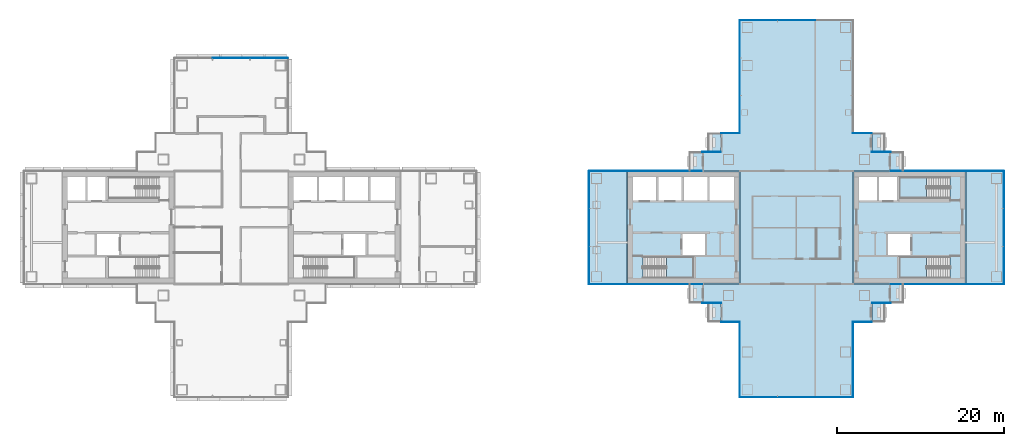
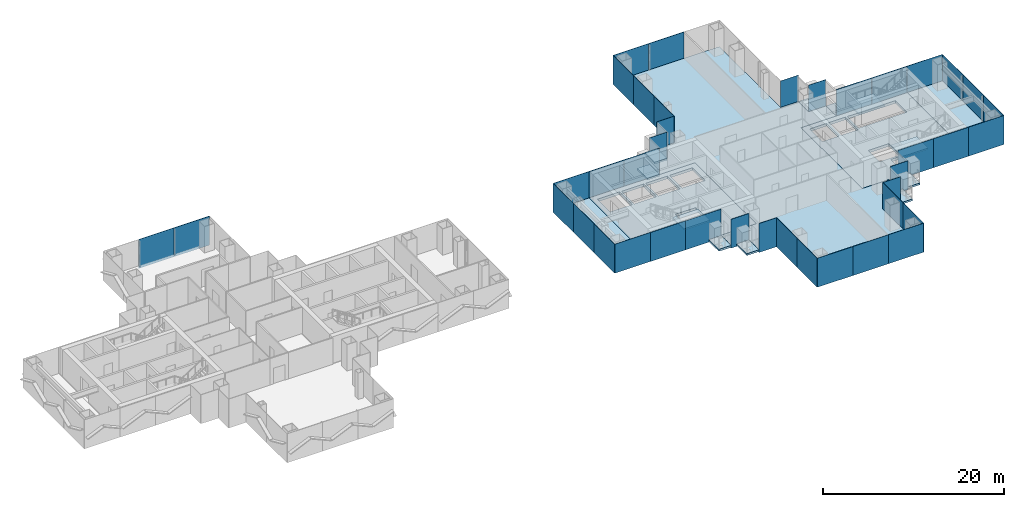
# One storey, part 9 of 19: 40 plates, 16 slabs, 23 elements without a shape of their own.
"""IFC4 building model written with IfcOpenShell, lengths in metres."""

import ifcopenshell
import ifcopenshell.guid

model = None  # the IFC model being written
_history = None  # IfcOwnerHistory: only IFC2X3 demands one
_inside = {}  # id of a spatial element -> (the spatial element, [elements in it])
_under = {}  # id of a project, library or spatial element -> (it, [spatial elements below it])
_declared = {}  # id of a project -> (the project, [libraries it declares])
_typed = {}  # id of a type object -> (the type object, [elements of that type])
_made_of = {}  # id of a material, layer set ... -> (it, [elements and type objects made of it])


def new_model(schema):
    """Start an empty IFC model of exactly this schema.

    Asked for "IFC4X3", IfcOpenShell would pick the latest addendum, in which some entities
    have other attributes; the version numbers below select the first issue.
    IFC2X3 requires an IfcOwnerHistory on every rooted entity: one is made here for all.
    """
    global model, _history
    if schema == "IFC4X3":
        model = ifcopenshell.file(schema_version=(4, 3, 0, 0))
    else:
        model = ifcopenshell.file(schema=schema)
    _inside.clear()
    _under.clear()
    _declared.clear()
    _typed.clear()
    _made_of.clear()
    _history = None
    if model.schema == "IFC2X3":
        org = make("IfcOrganization", Name="unknown")
        user = make(
            "IfcPersonAndOrganization",
            ThePerson=make("IfcPerson", FamilyName="unknown"),
            TheOrganization=org,
        )
        app = make(
            "IfcApplication",
            ApplicationDeveloper=org,
            Version="unknown",
            ApplicationFullName="unknown",
            ApplicationIdentifier="unknown",
        )
        _history = make(
            "IfcOwnerHistory",
            OwningUser=user,
            OwningApplication=app,
            ChangeAction="ADDED",
            CreationDate=0,
        )
    return model


def make(cls, **values):
    """One entity of the class cls with the attributes given. An attribute that is None is left unset."""
    return model.create_entity(
        cls, **{name: value for name, value in values.items() if value is not None}
    )


def rooted(cls, **values):
    """An entity with a GlobalId (a new one), such as an element, a storey or a relation."""
    return make(cls, GlobalId=ifcopenshell.guid.new(), OwnerHistory=_history, **values)


def si_unit(unit_type, name, prefix=None):
    """IfcSIUnit, for example si_unit("LENGTHUNIT", "METRE", prefix="MILLI")."""
    return make("IfcSIUnit", UnitType=unit_type, Prefix=prefix, Name=name)


def assignment(units):
    """IfcUnitAssignment: the units of a project."""
    return None if units is None else make("IfcUnitAssignment", Units=units)


def point(xyz):
    """IfcCartesianPoint."""
    return None if xyz is None else make("IfcCartesianPoint", Coordinates=xyz)


def direction(xyz):
    """IfcDirection."""
    return None if xyz is None else make("IfcDirection", DirectionRatios=xyz)


def frame(location, z_axis=None, x_axis=None):
    """IfcAxis2Placement3D, a coordinate frame: its origin and axes. An axis left out is left unset."""
    return make(
        "IfcAxis2Placement3D",
        Location=point(location),
        Axis=direction(z_axis),
        RefDirection=direction(x_axis),
    )


def frame_2d(location, x_axis=None):
    """IfcAxis2Placement2D, a coordinate frame in the plane: its origin and x axis."""
    return make(
        "IfcAxis2Placement2D", Location=point(location), RefDirection=direction(x_axis)
    )


def origin():
    """The frame at (0, 0, 0) with its axes left unset."""
    return frame((0.0, 0.0, 0.0))


def origin_2d():
    """The frame at (0, 0) in the plane with its x axis left unset."""
    return frame_2d((0.0, 0.0))


def place(relative_to, where):
    """IfcLocalPlacement: puts the frame where relative to a parent placement (None: the world)."""
    return make(
        "IfcLocalPlacement", PlacementRelTo=relative_to, RelativePlacement=where
    )


def context(
    kind, dimensions, precision=None, world=None, true_north=None, identifier=None
):
    """IfcGeometricRepresentationContext, for example the 3D "Model" context."""
    return make(
        "IfcGeometricRepresentationContext",
        ContextIdentifier=identifier,
        ContextType=kind,
        CoordinateSpaceDimension=dimensions,
        Precision=precision,
        WorldCoordinateSystem=world,
        TrueNorth=true_north,
    )


def subcontext(parent, identifier, kind, view, scale=None):
    """IfcGeometricRepresentationSubContext, for example "Body" below "Model"."""
    return make(
        "IfcGeometricRepresentationSubContext",
        ContextIdentifier=identifier,
        ContextType=kind,
        ParentContext=parent,
        TargetScale=scale,
        TargetView=view,
    )


def project(units=None, contexts=None):
    """IfcProject with its units and contexts."""
    return rooted(
        "IfcProject",
        Name="project",
        RepresentationContexts=contexts,
        UnitsInContext=assignment(units),
    )


def spatial(cls, under=None, at=None, **own):
    """A site, building, storey or space (cls), placed at a placement, below another one or the project."""
    s = rooted(cls, ObjectPlacement=at, **own)
    if under is not None:
        _under.setdefault(under.id(), (under, []))[1].append(s)
    return s


def polyline(points):
    """IfcPolyline through the points."""
    return make("IfcPolyline", Points=[point(p) for p in points])


def profile(cls, at=None, kind="AREA", **sizes):
    """A parametric profile (cls). Its sizes go by their IFC names, for example OverallWidth=200.0."""
    return make(cls, ProfileType=kind, Position=at, **sizes)


def rectangle(**sizes):
    """IfcRectangleProfileDef."""
    return profile("IfcRectangleProfileDef", **sizes)


def outline(outer, holes=None, kind="AREA"):
    """IfcArbitraryClosedProfileDef: a profile drawn as a closed curve; with holes, ...WithVoids."""
    if holes is None:
        return make("IfcArbitraryClosedProfileDef", ProfileType=kind, OuterCurve=outer)
    return make(
        "IfcArbitraryProfileDefWithVoids",
        ProfileType=kind,
        OuterCurve=outer,
        InnerCurves=holes,
    )


def extrude(swept, where, along, depth):
    """IfcExtrudedAreaSolid: the profile swept, set in the frame where, extruded along a direction by depth."""
    return make(
        "IfcExtrudedAreaSolid",
        SweptArea=swept,
        Position=where,
        ExtrudedDirection=direction(along),
        Depth=depth,
    )


def shape(context_of_items, identifier, shape_type, items):
    """IfcShapeRepresentation: the items that make up one representation, for example the "Body"."""
    return make(
        "IfcShapeRepresentation",
        ContextOfItems=context_of_items,
        RepresentationIdentifier=identifier,
        RepresentationType=shape_type,
        Items=items,
    )


def material(Name=None, Category=None):
    """IfcMaterial."""
    return make("IfcMaterial", Name=Name, Category=Category)


def layer(
    of_material, thickness, ventilated=None, Name=None, Category=None, Priority=None
):
    """IfcMaterialLayer: one layer of a wall or slab, of a material (None: an air gap)."""
    return make(
        "IfcMaterialLayer",
        Material=of_material,
        LayerThickness=thickness,
        IsVentilated=ventilated,
        Name=Name,
        Category=Category,
        Priority=Priority,
    )


def layer_set(layers, Name=None):
    """IfcMaterialLayerSet."""
    return make("IfcMaterialLayerSet", MaterialLayers=layers, LayerSetName=Name)


def made_of(thing, what):
    """Note that an element or type object is made of a material, layer set ...; save() writes the relation."""
    if what is not None:
        _made_of.setdefault(what.id(), (what, []))[1].append(thing)
    return thing


def type_object(cls, material=None, **own):
    """A type object (cls), such as IfcWallType, which elements share."""
    return made_of(rooted(cls, **own), material)


def element(
    cls,
    number,
    at=None,
    inside=None,
    cuts=None,
    type_object=None,
    material=None,
    context=None,
    identifier="Body",
    shape_type=None,
    held_by="IfcProductDefinitionShape",
    body=None,
    shapes=None,
    **own,
):
    """One element of the class cls, such as IfcWall. Its Tag is "e" and its number.

    at: its placement. inside: the storey or other place that contains it. cuts: it is an
    opening in that element (IfcRelVoidsElement). A single representation is given by context,
    identifier, shape_type and body (its items); several are given by shapes. held_by: the class
    of the entity that holds the representations. save() writes the other relations.
    """
    e = rooted(cls, Tag="e%d" % number, ObjectPlacement=at, **own)
    if body is not None:
        shapes = [shape(context, identifier, shape_type, body)]
    if shapes is not None:
        e.Representation = make(held_by, Representations=shapes)
    if inside is not None:
        _inside.setdefault(inside.id(), (inside, []))[1].append(e)
    if cuts is not None:
        rooted(
            "IfcRelVoidsElement", RelatingBuildingElement=cuts, RelatedOpeningElement=e
        )
    if type_object is not None:
        _typed.setdefault(type_object.id(), (type_object, []))[1].append(e)
    return made_of(e, material)


def aggregate(whole, parts):
    """IfcRelAggregates: a whole, such as a stair, and the parts it consists of."""
    return rooted("IfcRelAggregates", RelatingObject=whole, RelatedObjects=parts)


def save(model, path):
    """Write the relations noted so far, then the file.

    IfcRelAggregates (storeys below a building ...), IfcRelContainedInSpatialStructure (elements
    in a storey), IfcRelDefinesByType, IfcRelAssociatesMaterial and IfcRelDeclares: one each for
    every whole, place, type object, material and project.
    """
    for whole, parts in _under.values():
        aggregate(whole, parts)
    for where, things in _inside.values():
        rooted(
            "IfcRelContainedInSpatialStructure",
            RelatedElements=things,
            RelatingStructure=where,
        )
    for kind, things in _typed.values():
        rooted("IfcRelDefinesByType", RelatedObjects=things, RelatingType=kind)
    for what, things in _made_of.values():
        rooted("IfcRelAssociatesMaterial", RelatedObjects=things, RelatingMaterial=what)
    for by, libraries in _declared.values():
        rooted("IfcRelDeclares", RelatingContext=by, RelatedDefinitions=libraries)
    model.write(path)


model = new_model("IFC4")

# Units and contexts
model_context = context("Model", 3, precision=1e-05, world=origin(), true_north=direction((0.0, 1.0)))
body_context = subcontext(model_context, "Body", "Model", "MODEL_VIEW")
ifc_project = project(units=[si_unit("LENGTHUNIT", "METRE"), si_unit("AREAUNIT", "SQUARE_METRE"), si_unit("VOLUMEUNIT", "CUBIC_METRE"), si_unit("PLANEANGLEUNIT", "RADIAN"), si_unit("MASSUNIT", "GRAM", prefix="KILO")], contexts=[model_context])

# Site, building, storey
site_placement = place(None, origin())
site = spatial("IfcSite", under=ifc_project, at=site_placement, CompositionType="ELEMENT")
building_placement = place(site_placement, origin())
building = spatial("IfcBuilding", under=site, at=building_placement, Name="Shamsa Quay Exchange Towers", CompositionType="ELEMENT")
storey_placement = place(building_placement, frame((0.0, 0.0, 97.5)))
storey = spatial("IfcBuildingStorey", under=building, at=storey_placement, Name="L22", CompositionType="ELEMENT", Elevation=97.5)

# Slabs
ifc_material_1 = material(Name="Precast concrete C40/50", Category="concrete")
ifc_layer_1 = layer(ifc_material_1, 0.25)
ifc_layer_set_1 = layer_set([ifc_layer_1], Name="BALCONY SLAB 250")
slab_type_1 = type_object("IfcSlabType", Name="BALCONY SLAB 250", PredefinedType="FLOOR", material=ifc_layer_set_1)
slab_1_placement = place(storey_placement, frame((0.0, 0.0, -0.25)))
element("IfcSlab", 1, at=slab_1_placement, inside=storey, type_object=slab_type_1, Name="Balcony T2-PKEN L22", PredefinedType="FLOOR", context=body_context, shape_type="SweptSolid", body=[
    extrude(outline(polyline([(24.75, 11.25), (24.75, 9.0380859375), (23.199951171875, 9.0380859375), (23.199951171875, 11.25), (24.75, 11.25)])), origin(), (0.0, 0.0, 1.0), 0.25),
])
slab_2_placement = place(storey_placement, frame((0.0, 0.0, -0.25)))
element("IfcSlab", 2, at=slab_2_placement, inside=storey, type_object=slab_type_1, Name="Balcony T2-PKEN L22", PredefinedType="FLOOR", context=body_context, shape_type="SweptSolid", body=[
    extrude(outline(polyline([(22.5, 9.0), (22.5, 6.7880859375), (20.949951171875, 6.7880859375), (20.949951171875, 9.0), (22.5, 9.0)])), origin(), (0.0, 0.0, 1.0), 0.25),
])
slab_3_placement = place(storey_placement, frame((0.0, 0.0, -0.25)))
element("IfcSlab", 3, at=slab_3_placement, inside=storey, type_object=slab_type_1, Name="Balcony T2-PKES L22", PredefinedType="FLOOR", context=body_context, shape_type="SweptSolid", body=[
    extrude(outline(polyline([(42.75, 9.0380859375), (42.75, 11.25), (44.300048828125, 11.25), (44.300048828125, 9.0380859375), (42.75, 9.0380859375)])), origin(), (0.0, 0.0, 1.0), 0.25),
])
slab_4_placement = place(storey_placement, frame((0.0, 0.0, -0.25)))
element("IfcSlab", 4, at=slab_4_placement, inside=storey, type_object=slab_type_1, Name="Balcony T2-PKES L22", PredefinedType="FLOOR", context=body_context, shape_type="SweptSolid", body=[
    extrude(outline(polyline([(45.0, 6.7880859375), (45.0, 9.0), (46.550048828125, 9.0), (46.550048828125, 6.7880859375), (45.0, 6.7880859375)])), origin(), (0.0, 0.0, 1.0), 0.25),
])
slab_5_placement = place(storey_placement, frame((0.0, 0.0, -0.25)))
element("IfcSlab", 5, at=slab_5_placement, inside=storey, type_object=slab_type_1, Name="Balcony T2-PKWN L22", PredefinedType="FLOOR", context=body_context, shape_type="SweptSolid", body=[
    extrude(outline(polyline([(22.5, -6.7880859375), (22.5, -9.0), (20.949951171875, -9.0), (20.949951171875, -6.7880859375), (22.5, -6.7880859375)])), origin(), (0.0, 0.0, 1.0), 0.25),
])
slab_6_placement = place(storey_placement, frame((0.0, 0.0, -0.25)))
element("IfcSlab", 6, at=slab_6_placement, inside=storey, type_object=slab_type_1, Name="Balcony T2-PKWN L22", PredefinedType="FLOOR", context=body_context, shape_type="SweptSolid", body=[
    extrude(outline(polyline([(24.75, -9.0380859375), (24.75, -11.25), (23.199951171875, -11.25), (23.199951171875, -9.0380859375), (24.75, -9.0380859375)])), origin(), (0.0, 0.0, 1.0), 0.25),
])
slab_7_placement = place(storey_placement, frame((0.0, 0.0, -0.25)))
element("IfcSlab", 7, at=slab_7_placement, inside=storey, type_object=slab_type_1, Name="Balcony T2-PKWS L22", PredefinedType="FLOOR", context=body_context, shape_type="SweptSolid", body=[
    extrude(outline(polyline([(42.75, -11.25), (42.75, -9.0380859375), (44.300048828125, -9.0380859375), (44.300048828125, -11.25), (42.75, -11.25)])), origin(), (0.0, 0.0, 1.0), 0.25),
])
slab_8_placement = place(storey_placement, frame((0.0, 0.0, -0.25)))
element("IfcSlab", 8, at=slab_8_placement, inside=storey, type_object=slab_type_1, Name="Balcony T2-PKWS L22", PredefinedType="FLOOR", context=body_context, shape_type="SweptSolid", body=[
    extrude(outline(polyline([(45.0, -9.0), (45.0, -6.7880859375), (46.550048828125, -6.7880859375), (46.550048828125, -9.0), (45.0, -9.0)])), origin(), (0.0, 0.0, 1.0), 0.25),
])
ifc_material_2 = material(Name="Concrete C50/60", Category="concrete")
ifc_layer_2 = layer(ifc_material_2, 0.35009765625)
ifc_layer_set_2 = layer_set([ifc_layer_2], Name="CORE FLOOR 350 C50/60")
slab_type_2 = type_object("IfcSlabType", Name="CORE FLOOR 350 C50/60", PredefinedType="FLOOR", material=ifc_layer_set_2)
slab_9_placement = place(storey_placement, frame((0.0, 0.0, -0.35009765625)))
element("IfcSlab", 9, at=slab_9_placement, inside=storey, type_object=slab_type_2, Name="Core floor T2A", PredefinedType="FLOOR", context=body_context, shape_type="SweptSolid", body=[
    extrude(outline(polyline([(13.5, -6.75), (27.0, -6.75), (27.0, 6.75), (13.5, 6.75), (13.5, -6.75)]), holes=[polyline([(15.400634765625, -6.050048828125), (15.400634765625, -3.5), (21.5, -3.5), (21.5, -6.050048828125), (15.400634765625, -6.050048828125)]), polyline([(14.199951171875, 3.25), (14.199951171875, 6.050048828125), (17.0, 6.050048828125), (17.0, 3.25), (14.199951171875, 3.25)]), polyline([(17.25, 3.25), (17.25, 6.050048828125), (20.050048828125, 6.050048828125), (20.050048828125, 3.25), (17.25, 3.25)]), polyline([(20.300048828125, 3.25), (20.300048828125, 6.050048828125), (23.10009765625, 6.050048828125), (23.10009765625, 3.25), (20.300048828125, 3.25)]), polyline([(23.35009765625, 3.25), (23.35009765625, 6.050048828125), (26.300048828125, 6.050048828125), (26.300048828125, 3.25), (23.35009765625, 3.25)]), polyline([(20.14990234375, -3.25), (20.14990234375, -0.75), (22.800048828125, -0.75), (22.800048828125, -3.25), (20.14990234375, -3.25)])]), origin(), (0.0, 0.0, 1.0), 0.35009765625),
])
slab_10_placement = place(storey_placement, frame((0.0, 0.0, -0.35009765625)))
element("IfcSlab", 10, at=slab_10_placement, inside=storey, type_object=slab_type_2, Name="Core floor T2B", PredefinedType="FLOOR", context=body_context, shape_type="SweptSolid", body=[
    extrude(outline(polyline([(54.0, -6.75), (54.0, 6.75), (40.5, 6.75), (40.5, -6.75), (54.0, -6.75)]), holes=[polyline([(52.099365234375, -3.5), (52.099365234375, -6.050048828125), (46.0, -6.050048828125), (46.0, -3.5), (52.099365234375, -3.5)]), polyline([(52.099365234375, 6.050048828125), (52.099365234375, 3.5), (46.0, 3.5), (46.0, 6.050048828125), (52.099365234375, 6.050048828125)]), polyline([(45.75, 3.25), (43.60009765625, 3.25), (43.60009765625, 6.050048828125), (45.75, 6.050048828125), (45.75, 3.25)]), polyline([(43.35009765625, 3.25), (41.199951171875, 3.25), (41.199951171875, 6.050048828125), (43.35009765625, 6.050048828125), (43.35009765625, 3.25)]), polyline([(47.35009765625, -3.25), (44.699951171875, -3.25), (44.699951171875, -0.75), (47.35009765625, -0.75), (47.35009765625, -3.25)])]), origin(), (0.0, 0.0, 1.0), 0.35009765625),
])

# Stair, slab
ifc_material_3 = material(Name="Concrete C40/50", Category="concrete")
stair_type = type_object("IfcStairType", Name="EXIT STAIR 22 RISERS 177 MM", PredefinedType="HALF_TURN_STAIR", material=ifc_material_3)
stair_1_placement = place(storey_placement, origin())
stair_1 = element("IfcStair", 11, at=stair_1_placement, inside=storey, type_object=stair_type, Name="L22 Exit stair ST4", PredefinedType="HALF_TURN_STAIR")
ifc_layer_3 = layer(ifc_material_3, 0.199951171875)
ifc_layer_set_3 = layer_set([ifc_layer_3], Name="CORE STAIR LANDING")
slab_type_3 = type_object("IfcSlabType", Name="CORE STAIR LANDING", PredefinedType="LANDING", material=ifc_layer_set_3)
slab_11_placement = place(storey_placement, frame((0.0, 0.0, 1.75)))
slab_11 = element("IfcSlab", 12, at=slab_11_placement, type_object=slab_type_3, Name="ST4 landing 1", PredefinedType="LANDING", context=body_context, shape_type="SweptSolid", body=[
    extrude(outline(polyline([(18.199951171875, -6.050048828125), (21.5, -6.050048828125), (21.5, -3.5), (18.199951171875, -3.5), (18.199951171875, -6.050048828125)])), origin(), (0.0, 0.0, 1.0), 0.199951171875),
])
aggregate(stair_1, [slab_11])

stair_2_placement = place(storey_placement, origin())
stair_2 = element("IfcStair", 13, at=stair_2_placement, inside=storey, type_object=stair_type, Name="L22 Exit stair ST5", PredefinedType="HALF_TURN_STAIR")
slab_12_placement = place(storey_placement, frame((0.0, 0.0, 1.75)))
slab_12 = element("IfcSlab", 14, at=slab_12_placement, type_object=slab_type_3, Name="ST5 landing 1", PredefinedType="LANDING", context=body_context, shape_type="SweptSolid", body=[
    extrude(outline(polyline([(49.300048828125, -3.5), (46.0, -3.5), (46.0, -6.050048828125), (49.300048828125, -6.050048828125), (49.300048828125, -3.5)])), origin(), (0.0, 0.0, 1.0), 0.199951171875),
])
aggregate(stair_2, [slab_12])

stair_3_placement = place(storey_placement, origin())
stair_3 = element("IfcStair", 15, at=stair_3_placement, inside=storey, type_object=stair_type, Name="L22 Exit stair ST6", PredefinedType="HALF_TURN_STAIR")
slab_13_placement = place(storey_placement, frame((0.0, 0.0, 1.75)))
slab_13 = element("IfcSlab", 16, at=slab_13_placement, type_object=slab_type_3, Name="ST6 landing 1", PredefinedType="LANDING", context=body_context, shape_type="SweptSolid", body=[
    extrude(outline(polyline([(49.300048828125, 6.050048828125), (46.0, 6.050048828125), (46.0, 3.5), (49.300048828125, 3.5), (49.300048828125, 6.050048828125)])), origin(), (0.0, 0.0, 1.0), 0.199951171875),
])
aggregate(stair_3, [slab_13])

# Curtain wall, plates
ifc_material_4 = material(Name="Aluminium EN AW-6063 T6, black anodised", Category="aluminium")
ifc_layer_4 = layer(ifc_material_4, 0.280029296875)
ifc_layer_set_4 = layer_set([ifc_layer_4], Name="CW-1 UNITISED VISION GLASS")
curtain_wall_type_1 = type_object("IfcCurtainWallType", Name="CW-1 UNITISED VISION GLASS", PredefinedType="NOTDEFINED", material=ifc_layer_set_4)
curtain_wall_1_placement = place(storey_placement, origin())
curtain_wall_1 = element("IfcCurtainWall", 17, at=curtain_wall_1_placement, inside=storey, type_object=curtain_wall_type_1, Name="CW1 T1-END-V+ L22", PredefinedType="NOTDEFINED")
ifc_material_5 = material(Name="Glass, laminated, dark tinted", Category="glass")
ifc_layer_5 = layer(ifc_material_5, 0.0400390625)
ifc_layer_set_5 = layer_set([ifc_layer_5], Name="CW-1 VISION GLASS 40")
plate_type_1 = type_object("IfcPlateType", Name="CW-1 VISION GLASS 40", PredefinedType="CURTAIN_PANEL", material=ifc_layer_set_5)
plate_1_placement = place(storey_placement, frame((-29.24755859375, 20.27001953125, -0.349853515625), z_axis=(0.0, 0.0, 1.0), x_axis=(-1.0, 0.0, 0.0)))
plate_1 = element("IfcPlate", 18, at=plate_1_placement, type_object=plate_type_1, Name="CW1 glass panel", PredefinedType="CURTAIN_PANEL", context=body_context, shape_type="SweptSolid", body=[
    extrude(rectangle(XDim=4.4951171875, YDim=0.0400390625, at=origin_2d()), origin(), (0.0, 0.0, 1.0), 3.89990234375),
])
plate_2_placement = place(storey_placement, frame((-33.75, 20.27001953125, -0.349853515625), z_axis=(0.0, 0.0, 1.0), x_axis=(-1.0, 0.0, 0.0)))
plate_2 = element("IfcPlate", 19, at=plate_2_placement, type_object=plate_type_1, Name="CW1 glass panel", PredefinedType="CURTAIN_PANEL", context=body_context, shape_type="SweptSolid", body=[
    extrude(rectangle(XDim=4.489990234375, YDim=0.0400390625, at=origin_2d()), origin(), (0.0, 0.0, 1.0), 3.89990234375),
])
aggregate(curtain_wall_1, [plate_1, plate_2])

# Curtain wall, plate
curtain_wall_2_placement = place(storey_placement, origin())
curtain_wall_2 = element("IfcCurtainWall", 20, at=curtain_wall_2_placement, inside=storey, type_object=curtain_wall_type_1, Name="CW1 T2-FLK-V-W L22", PredefinedType="NOTDEFINED")
plate_3_placement = place(storey_placement, frame((56.25, -6.77001953125, -0.349853515625)))
plate_3 = element("IfcPlate", 21, at=plate_3_placement, type_object=plate_type_1, Name="CW1 glass panel", PredefinedType="CURTAIN_PANEL", context=body_context, shape_type="SweptSolid", body=[
    extrude(rectangle(XDim=4.5, YDim=0.0400390625, at=origin_2d()), origin(), (0.0, 0.0, 1.0), 3.89990234375),
])
aggregate(curtain_wall_2, [plate_3])

# Curtain wall, plates
curtain_wall_3_placement = place(storey_placement, origin())
curtain_wall_3 = element("IfcCurtainWall", 22, at=curtain_wall_3_placement, inside=storey, type_object=curtain_wall_type_1, Name="CW1 T2-END-V- L22", PredefinedType="NOTDEFINED")
plate_4_placement = place(storey_placement, frame((58.52001953125, -4.50244140625, -0.349853515625), z_axis=(0.0, 0.0, 1.0), x_axis=(0.0, 1.0, 0.0)))
plate_4 = element("IfcPlate", 23, at=plate_4_placement, type_object=plate_type_1, Name="CW1 glass panel", PredefinedType="CURTAIN_PANEL", context=body_context, shape_type="SweptSolid", body=[
    extrude(rectangle(XDim=4.4951171875, YDim=0.0400390625, at=origin_2d()), origin(), (0.0, 0.0, 1.0), 3.89990234375),
])
plate_5_placement = place(storey_placement, frame((58.52001953125, 0.0, -0.349853515625), z_axis=(0.0, 0.0, 1.0), x_axis=(0.0, 1.0, 0.0)))
plate_5 = element("IfcPlate", 24, at=plate_5_placement, type_object=plate_type_1, Name="CW1 glass panel", PredefinedType="CURTAIN_PANEL", context=body_context, shape_type="SweptSolid", body=[
    extrude(rectangle(XDim=4.489990234375, YDim=0.0400390625, at=origin_2d()), origin(), (0.0, 0.0, 1.0), 3.89990234375),
])
plate_6_placement = place(storey_placement, frame((58.52001953125, 4.50244140625, -0.349853515625), z_axis=(0.0, 0.0, 1.0), x_axis=(0.0, 1.0, 0.0)))
plate_6 = element("IfcPlate", 25, at=plate_6_placement, type_object=plate_type_1, Name="CW1 glass panel", PredefinedType="CURTAIN_PANEL", context=body_context, shape_type="SweptSolid", body=[
    extrude(rectangle(XDim=4.4951171875, YDim=0.0400390625, at=origin_2d()), origin(), (0.0, 0.0, 1.0), 3.89990234375),
])
aggregate(curtain_wall_3, [plate_4, plate_5, plate_6])

# Curtain wall, plate
curtain_wall_4_placement = place(storey_placement, origin())
curtain_wall_4 = element("IfcCurtainWall", 26, at=curtain_wall_4_placement, inside=storey, type_object=curtain_wall_type_1, Name="CW1 T2-FLK-V-E L22", PredefinedType="NOTDEFINED")
plate_7_placement = place(storey_placement, frame((56.25, 6.77001953125, -0.349853515625), z_axis=(0.0, 0.0, 1.0), x_axis=(-1.0, 0.0, 0.0)))
plate_7 = element("IfcPlate", 27, at=plate_7_placement, type_object=plate_type_1, Name="CW1 glass panel", PredefinedType="CURTAIN_PANEL", context=body_context, shape_type="SweptSolid", body=[
    extrude(rectangle(XDim=4.5, YDim=0.0400390625, at=origin_2d()), origin(), (0.0, 0.0, 1.0), 3.89990234375),
])
aggregate(curtain_wall_4, [plate_7])

# Curtain wall, plates
curtain_wall_5_placement = place(storey_placement, origin())
curtain_wall_5 = element("IfcCurtainWall", 28, at=curtain_wall_5_placement, inside=storey, type_object=curtain_wall_type_1, Name="CW1 T2-END-U+ L22", PredefinedType="NOTDEFINED")
plate_8_placement = place(storey_placement, frame((33.75, 24.77001953125, -0.349853515625), z_axis=(0.0, 0.0, 1.0), x_axis=(-1.0, 0.0, 0.0)))
plate_8 = element("IfcPlate", 29, at=plate_8_placement, type_object=plate_type_1, Name="CW1 glass panel", PredefinedType="CURTAIN_PANEL", context=body_context, shape_type="SweptSolid", body=[
    extrude(rectangle(XDim=4.489990234375, YDim=0.0400390625, at=origin_2d()), origin(), (0.0, 0.0, 1.0), 3.89990234375),
])
plate_9_placement = place(storey_placement, frame((29.24755859375, 24.77001953125, -0.349853515625), z_axis=(0.0, 0.0, 1.0), x_axis=(-1.0, 0.0, 0.0)))
plate_9 = element("IfcPlate", 30, at=plate_9_placement, type_object=plate_type_1, Name="CW1 glass panel", PredefinedType="CURTAIN_PANEL", context=body_context, shape_type="SweptSolid", body=[
    extrude(rectangle(XDim=4.4951171875, YDim=0.0400390625, at=origin_2d()), origin(), (0.0, 0.0, 1.0), 3.89990234375),
])
aggregate(curtain_wall_5, [plate_8, plate_9])

curtain_wall_6_placement = place(storey_placement, origin())
curtain_wall_6 = element("IfcCurtainWall", 31, at=curtain_wall_6_placement, inside=storey, type_object=curtain_wall_type_1, Name="CW1 T2-FLK-U+N L22", PredefinedType="NOTDEFINED")
plate_10_placement = place(storey_placement, frame((26.97998046875, 22.50244140625, -0.349853515625), z_axis=(0.0, 0.0, 1.0), x_axis=(0.0, -1.0, 0.0)))
plate_10 = element("IfcPlate", 32, at=plate_10_placement, type_object=plate_type_1, Name="CW1 glass panel", PredefinedType="CURTAIN_PANEL", context=body_context, shape_type="SweptSolid", body=[
    extrude(rectangle(XDim=4.4951171875, YDim=0.0400390625, at=origin_2d()), origin(), (0.0, 0.0, 1.0), 3.89990234375),
])
plate_11_placement = place(storey_placement, frame((26.97998046875, 18.0, -0.349853515625), z_axis=(0.0, 0.0, 1.0), x_axis=(0.0, -1.0, 0.0)))
plate_11 = element("IfcPlate", 33, at=plate_11_placement, type_object=plate_type_1, Name="CW1 glass panel", PredefinedType="CURTAIN_PANEL", context=body_context, shape_type="SweptSolid", body=[
    extrude(rectangle(XDim=4.489990234375, YDim=0.0400390625, at=origin_2d()), origin(), (0.0, 0.0, 1.0), 3.89990234375),
])
plate_12_placement = place(storey_placement, frame((26.97998046875, 13.49755859375, -0.349853515625), z_axis=(0.0, 0.0, 1.0), x_axis=(0.0, -1.0, 0.0)))
plate_12 = element("IfcPlate", 34, at=plate_12_placement, type_object=plate_type_1, Name="CW1 glass panel", PredefinedType="CURTAIN_PANEL", context=body_context, shape_type="SweptSolid", body=[
    extrude(rectangle(XDim=4.4951171875, YDim=0.0400390625, at=origin_2d()), origin(), (0.0, 0.0, 1.0), 3.89990234375),
])
aggregate(curtain_wall_6, [plate_10, plate_11, plate_12])

# Curtain wall, plate
curtain_wall_7_placement = place(storey_placement, origin())
curtain_wall_7 = element("IfcCurtainWall", 35, at=curtain_wall_7_placement, inside=storey, type_object=curtain_wall_type_1, Name="CW1 T2-FLK-V+E L22", PredefinedType="NOTDEFINED")
plate_13_placement = place(storey_placement, frame((11.25, 6.77001953125, -0.349853515625), z_axis=(0.0, 0.0, 1.0), x_axis=(-1.0, 0.0, 0.0)))
plate_13 = element("IfcPlate", 36, at=plate_13_placement, type_object=plate_type_1, Name="CW1 glass panel", PredefinedType="CURTAIN_PANEL", context=body_context, shape_type="SweptSolid", body=[
    extrude(rectangle(XDim=4.5, YDim=0.0400390625, at=origin_2d()), origin(), (0.0, 0.0, 1.0), 3.89990234375),
])
aggregate(curtain_wall_7, [plate_13])

# Curtain wall, plates
curtain_wall_8_placement = place(storey_placement, origin())
curtain_wall_8 = element("IfcCurtainWall", 37, at=curtain_wall_8_placement, inside=storey, type_object=curtain_wall_type_1, Name="CW1 T2-END-V+ L22", PredefinedType="NOTDEFINED")
plate_14_placement = place(storey_placement, frame((8.97998046875, 4.50244140625, -0.349853515625), z_axis=(0.0, 0.0, 1.0), x_axis=(0.0, -1.0, 0.0)))
plate_14 = element("IfcPlate", 38, at=plate_14_placement, type_object=plate_type_1, Name="CW1 glass panel", PredefinedType="CURTAIN_PANEL", context=body_context, shape_type="SweptSolid", body=[
    extrude(rectangle(XDim=4.4951171875, YDim=0.0400390625, at=origin_2d()), origin(), (0.0, 0.0, 1.0), 3.89990234375),
])
plate_15_placement = place(storey_placement, frame((8.97998046875, 0.0, -0.349853515625), z_axis=(0.0, 0.0, 1.0), x_axis=(0.0, -1.0, 0.0)))
plate_15 = element("IfcPlate", 39, at=plate_15_placement, type_object=plate_type_1, Name="CW1 glass panel", PredefinedType="CURTAIN_PANEL", context=body_context, shape_type="SweptSolid", body=[
    extrude(rectangle(XDim=4.489990234375, YDim=0.0400390625, at=origin_2d()), origin(), (0.0, 0.0, 1.0), 3.89990234375),
])
plate_16_placement = place(storey_placement, frame((8.97998046875, -4.50244140625, -0.349853515625), z_axis=(0.0, 0.0, 1.0), x_axis=(0.0, -1.0, 0.0)))
plate_16 = element("IfcPlate", 40, at=plate_16_placement, type_object=plate_type_1, Name="CW1 glass panel", PredefinedType="CURTAIN_PANEL", context=body_context, shape_type="SweptSolid", body=[
    extrude(rectangle(XDim=4.4951171875, YDim=0.0400390625, at=origin_2d()), origin(), (0.0, 0.0, 1.0), 3.89990234375),
])
aggregate(curtain_wall_8, [plate_14, plate_15, plate_16])

# Curtain wall, plate
curtain_wall_9_placement = place(storey_placement, origin())
curtain_wall_9 = element("IfcCurtainWall", 41, at=curtain_wall_9_placement, inside=storey, type_object=curtain_wall_type_1, Name="CW1 T2-FLK-V+W L22", PredefinedType="NOTDEFINED")
plate_17_placement = place(storey_placement, frame((11.25, -6.77001953125, -0.349853515625)))
plate_17 = element("IfcPlate", 42, at=plate_17_placement, type_object=plate_type_1, Name="CW1 glass panel", PredefinedType="CURTAIN_PANEL", context=body_context, shape_type="SweptSolid", body=[
    extrude(rectangle(XDim=4.5, YDim=0.0400390625, at=origin_2d()), origin(), (0.0, 0.0, 1.0), 3.89990234375),
])
aggregate(curtain_wall_9, [plate_17])

# Curtain wall, plates
curtain_wall_10_placement = place(storey_placement, origin())
curtain_wall_10 = element("IfcCurtainWall", 43, at=curtain_wall_10_placement, inside=storey, type_object=curtain_wall_type_1, Name="CW1 T2-FLK-U-N L22", PredefinedType="NOTDEFINED")
plate_18_placement = place(storey_placement, frame((26.97998046875, -13.52587890625, -0.349853515625), z_axis=(0.0, 0.0, 1.0), x_axis=(0.0, -1.0, 0.0)))
plate_18 = element("IfcPlate", 44, at=plate_18_placement, type_object=plate_type_1, Name="CW1 glass panel", PredefinedType="CURTAIN_PANEL", context=body_context, shape_type="SweptSolid", body=[
    extrude(rectangle(XDim=4.47607421875, YDim=0.0400390625, at=origin_2d()), origin(), (0.0, 0.0, 1.0), 3.89990234375),
])
plate_19_placement = place(storey_placement, frame((26.97998046875, -18.011962890625, -0.349853515625), z_axis=(0.0, 0.0, 1.0), x_axis=(0.0, -1.0, 0.0)))
plate_19 = element("IfcPlate", 45, at=plate_19_placement, type_object=plate_type_1, Name="CW1 glass panel", PredefinedType="CURTAIN_PANEL", context=body_context, shape_type="SweptSolid", body=[
    extrude(rectangle(XDim=4.47607421875, YDim=0.0400390625, at=origin_2d()), origin(), (0.0, 0.0, 1.0), 3.89990234375),
])
aggregate(curtain_wall_10, [plate_18, plate_19])

curtain_wall_11_placement = place(storey_placement, origin())
curtain_wall_11 = element("IfcCurtainWall", 46, at=curtain_wall_11_placement, inside=storey, type_object=curtain_wall_type_1, Name="CW1 T2-END-U- L22", PredefinedType="NOTDEFINED")
plate_20_placement = place(storey_placement, frame((29.24755859375, -20.27001953125, -0.349853515625)))
plate_20 = element("IfcPlate", 47, at=plate_20_placement, type_object=plate_type_1, Name="CW1 glass panel", PredefinedType="CURTAIN_PANEL", context=body_context, shape_type="SweptSolid", body=[
    extrude(rectangle(XDim=4.4951171875, YDim=0.0400390625, at=origin_2d()), origin(), (0.0, 0.0, 1.0), 3.89990234375),
])
plate_21_placement = place(storey_placement, frame((33.75, -20.27001953125, -0.349853515625)))
plate_21 = element("IfcPlate", 48, at=plate_21_placement, type_object=plate_type_1, Name="CW1 glass panel", PredefinedType="CURTAIN_PANEL", context=body_context, shape_type="SweptSolid", body=[
    extrude(rectangle(XDim=4.489990234375, YDim=0.0400390625, at=origin_2d()), origin(), (0.0, 0.0, 1.0), 3.89990234375),
])
plate_22_placement = place(storey_placement, frame((38.25244140625, -20.27001953125, -0.349853515625)))
plate_22 = element("IfcPlate", 49, at=plate_22_placement, type_object=plate_type_1, Name="CW1 glass panel", PredefinedType="CURTAIN_PANEL", context=body_context, shape_type="SweptSolid", body=[
    extrude(rectangle(XDim=4.4951171875, YDim=0.0400390625, at=origin_2d()), origin(), (0.0, 0.0, 1.0), 3.89990234375),
])
aggregate(curtain_wall_11, [plate_20, plate_21, plate_22])

curtain_wall_12_placement = place(storey_placement, origin())
curtain_wall_12 = element("IfcCurtainWall", 50, at=curtain_wall_12_placement, inside=storey, type_object=curtain_wall_type_1, Name="CW1 T2-FLK-U-S L22", PredefinedType="NOTDEFINED")
plate_23_placement = place(storey_placement, frame((40.52001953125, -18.00244140625, -0.349853515625), z_axis=(0.0, 0.0, 1.0), x_axis=(0.0, 1.0, 0.0)))
plate_23 = element("IfcPlate", 51, at=plate_23_placement, type_object=plate_type_1, Name="CW1 glass panel", PredefinedType="CURTAIN_PANEL", context=body_context, shape_type="SweptSolid", body=[
    extrude(rectangle(XDim=4.4951171875, YDim=0.0400390625, at=origin_2d()), origin(), (0.0, 0.0, 1.0), 3.89990234375),
])
plate_24_placement = place(storey_placement, frame((40.52001953125, -13.49755859375, -0.349853515625), z_axis=(0.0, 0.0, 1.0), x_axis=(0.0, 1.0, 0.0)))
plate_24 = element("IfcPlate", 52, at=plate_24_placement, type_object=plate_type_1, Name="CW1 glass panel", PredefinedType="CURTAIN_PANEL", context=body_context, shape_type="SweptSolid", body=[
    extrude(rectangle(XDim=4.4951171875, YDim=0.0400390625, at=origin_2d()), origin(), (0.0, 0.0, 1.0), 3.89990234375),
])
aggregate(curtain_wall_12, [plate_23, plate_24])

ifc_layer_6 = layer(ifc_material_4, 0.303955078125)
ifc_layer_set_6 = layer_set([ifc_layer_6], Name="CW-2 UNITISED OPAQUE SPANDREL GLASS")
curtain_wall_type_2 = type_object("IfcCurtainWallType", Name="CW-2 UNITISED OPAQUE SPANDREL GLASS", PredefinedType="NOTDEFINED", material=ifc_layer_set_6)
curtain_wall_13_placement = place(storey_placement, origin())
curtain_wall_13 = element("IfcCurtainWall", 53, at=curtain_wall_13_placement, inside=storey, type_object=curtain_wall_type_2, Name="CW2 T2-FLK-V-W L22", PredefinedType="NOTDEFINED")
ifc_material_6 = material(Name="Glass, laminated, black enamelled opaque", Category="glass")
ifc_layer_7 = layer(ifc_material_6, 0.0439453125)
ifc_layer_set_7 = layer_set([ifc_layer_7], Name="CW-2 SPANDREL GLASS 44")
plate_type_2 = type_object("IfcPlateType", Name="CW-2 SPANDREL GLASS 44", PredefinedType="CURTAIN_PANEL", material=ifc_layer_set_7)
plate_25_placement = place(storey_placement, frame((47.27587890625, -6.77197265625, -0.349853515625)))
plate_25 = element("IfcPlate", 54, at=plate_25_placement, type_object=plate_type_2, Name="CW2 glass panel", PredefinedType="CURTAIN_PANEL", context=body_context, shape_type="SweptSolid", body=[
    extrude(rectangle(XDim=4.47607421875, YDim=0.0439453125, at=origin_2d()), origin(), (0.0, 0.0, 1.0), 3.89990234375),
])
plate_26_placement = place(storey_placement, frame((51.761962890625, -6.77197265625, -0.349853515625)))
plate_26 = element("IfcPlate", 55, at=plate_26_placement, type_object=plate_type_2, Name="CW2 glass panel", PredefinedType="CURTAIN_PANEL", context=body_context, shape_type="SweptSolid", body=[
    extrude(rectangle(XDim=4.47607421875, YDim=0.0439453125, at=origin_2d()), origin(), (0.0, 0.0, 1.0), 3.89990234375),
])
aggregate(curtain_wall_13, [plate_25, plate_26])

curtain_wall_14_placement = place(storey_placement, origin())
curtain_wall_14 = element("IfcCurtainWall", 56, at=curtain_wall_14_placement, inside=storey, type_object=curtain_wall_type_2, Name="CW2 T2-FLK-V-E L22", PredefinedType="NOTDEFINED")
plate_27_placement = place(storey_placement, frame((51.75244140625, 6.77197265625, -0.349853515625), z_axis=(0.0, 0.0, 1.0), x_axis=(-1.0, 0.0, 0.0)))
plate_27 = element("IfcPlate", 57, at=plate_27_placement, type_object=plate_type_2, Name="CW2 glass panel", PredefinedType="CURTAIN_PANEL", context=body_context, shape_type="SweptSolid", body=[
    extrude(rectangle(XDim=4.4951171875, YDim=0.0439453125, at=origin_2d()), origin(), (0.0, 0.0, 1.0), 3.89990234375),
])
plate_28_placement = place(storey_placement, frame((47.24755859375, 6.77197265625, -0.349853515625), z_axis=(0.0, 0.0, 1.0), x_axis=(-1.0, 0.0, 0.0)))
plate_28 = element("IfcPlate", 58, at=plate_28_placement, type_object=plate_type_2, Name="CW2 glass panel", PredefinedType="CURTAIN_PANEL", context=body_context, shape_type="SweptSolid", body=[
    extrude(rectangle(XDim=4.4951171875, YDim=0.0439453125, at=origin_2d()), origin(), (0.0, 0.0, 1.0), 3.89990234375),
])
aggregate(curtain_wall_14, [plate_27, plate_28])

curtain_wall_15_placement = place(storey_placement, origin())
curtain_wall_15 = element("IfcCurtainWall", 59, at=curtain_wall_15_placement, inside=storey, type_object=curtain_wall_type_2, Name="CW2 T2-FLK-V+E L22", PredefinedType="NOTDEFINED")
plate_29_placement = place(storey_placement, frame((20.22412109375, 6.77197265625, -0.349853515625), z_axis=(0.0, 0.0, 1.0), x_axis=(-1.0, 0.0, 0.0)))
plate_29 = element("IfcPlate", 60, at=plate_29_placement, type_object=plate_type_2, Name="CW2 glass panel", PredefinedType="CURTAIN_PANEL", context=body_context, shape_type="SweptSolid", body=[
    extrude(rectangle(XDim=4.47607421875, YDim=0.0439453125, at=origin_2d()), origin(), (0.0, 0.0, 1.0), 3.89990234375),
])
plate_30_placement = place(storey_placement, frame((15.738037109375, 6.77197265625, -0.349853515625), z_axis=(0.0, 0.0, 1.0), x_axis=(-1.0, 0.0, 0.0)))
plate_30 = element("IfcPlate", 61, at=plate_30_placement, type_object=plate_type_2, Name="CW2 glass panel", PredefinedType="CURTAIN_PANEL", context=body_context, shape_type="SweptSolid", body=[
    extrude(rectangle(XDim=4.47607421875, YDim=0.0439453125, at=origin_2d()), origin(), (0.0, 0.0, 1.0), 3.89990234375),
])
aggregate(curtain_wall_15, [plate_29, plate_30])

curtain_wall_16_placement = place(storey_placement, origin())
curtain_wall_16 = element("IfcCurtainWall", 62, at=curtain_wall_16_placement, inside=storey, type_object=curtain_wall_type_2, Name="CW2 T2-FLK-V+W L22", PredefinedType="NOTDEFINED")
plate_31_placement = place(storey_placement, frame((15.74755859375, -6.77197265625, -0.349853515625)))
plate_31 = element("IfcPlate", 63, at=plate_31_placement, type_object=plate_type_2, Name="CW2 glass panel", PredefinedType="CURTAIN_PANEL", context=body_context, shape_type="SweptSolid", body=[
    extrude(rectangle(XDim=4.4951171875, YDim=0.0439453125, at=origin_2d()), origin(), (0.0, 0.0, 1.0), 3.89990234375),
])
plate_32_placement = place(storey_placement, frame((20.25244140625, -6.77197265625, -0.349853515625)))
plate_32 = element("IfcPlate", 64, at=plate_32_placement, type_object=plate_type_2, Name="CW2 glass panel", PredefinedType="CURTAIN_PANEL", context=body_context, shape_type="SweptSolid", body=[
    extrude(rectangle(XDim=4.4951171875, YDim=0.0439453125, at=origin_2d()), origin(), (0.0, 0.0, 1.0), 3.89990234375),
])
aggregate(curtain_wall_16, [plate_31, plate_32])

ifc_layer_8 = layer(ifc_material_4, 0.256103515625)
ifc_layer_set_8 = layer_set([ifc_layer_8], Name="CW-4 POCKET SERRATED GLAZING")
curtain_wall_type_3 = type_object("IfcCurtainWallType", Name="CW-4 POCKET SERRATED GLAZING", PredefinedType="NOTDEFINED", material=ifc_layer_set_8)
curtain_wall_17_placement = place(storey_placement, origin())
curtain_wall_17 = element("IfcCurtainWall", 65, at=curtain_wall_17_placement, inside=storey, type_object=curtain_wall_type_3, Name="CW4 PKWS L22", PredefinedType="NOTDEFINED")
ifc_layer_9 = layer(ifc_material_5, 0.035888671875)
ifc_layer_set_9 = layer_set([ifc_layer_9], Name="CW-4 POCKET GLASS 36")
plate_type_3 = type_object("IfcPlateType", Name="CW-4 POCKET GLASS 36", PredefinedType="CURTAIN_PANEL", material=ifc_layer_set_9)
plate_33_placement = place(storey_placement, frame((43.89404296875, -9.01806640625, -0.349853515625)))
plate_33 = element("IfcPlate", 66, at=plate_33_placement, type_object=plate_type_3, Name="CW4 glass panel", PredefinedType="CURTAIN_PANEL", context=body_context, shape_type="SweptSolid", body=[
    extrude(rectangle(XDim=2.2119140625, YDim=0.035888671875, at=origin_2d()), origin(), (0.0, 0.0, 1.0), 3.89990234375),
])
plate_34_placement = place(storey_placement, frame((41.64599609375, -11.26806640625, -0.349853515625)))
plate_34 = element("IfcPlate", 67, at=plate_34_placement, type_object=plate_type_3, Name="CW4 glass panel", PredefinedType="CURTAIN_PANEL", context=body_context, shape_type="SweptSolid", body=[
    extrude(rectangle(XDim=2.2080078125, YDim=0.035888671875, at=origin_2d()), origin(), (0.0, 0.0, 1.0), 3.89990234375),
])
aggregate(curtain_wall_17, [plate_33, plate_34])

curtain_wall_18_placement = place(storey_placement, origin())
curtain_wall_18 = element("IfcCurtainWall", 68, at=curtain_wall_18_placement, inside=storey, type_object=curtain_wall_type_3, Name="CW4 PKES L22", PredefinedType="NOTDEFINED")
plate_35_placement = place(storey_placement, frame((43.875, 9.01806640625, -0.349853515625), z_axis=(0.0, 0.0, 1.0), x_axis=(-1.0, 0.0, 0.0)))
plate_35 = element("IfcPlate", 69, at=plate_35_placement, type_object=plate_type_3, Name="CW4 glass panel", PredefinedType="CURTAIN_PANEL", context=body_context, shape_type="SweptSolid", body=[
    extrude(rectangle(XDim=2.25, YDim=0.035888671875, at=origin_2d()), origin(), (0.0, 0.0, 1.0), 3.89990234375),
])
plate_36_placement = place(storey_placement, frame((41.625, 11.26806640625, -0.349853515625), z_axis=(0.0, 0.0, 1.0), x_axis=(-1.0, 0.0, 0.0)))
plate_36 = element("IfcPlate", 70, at=plate_36_placement, type_object=plate_type_3, Name="CW4 glass panel", PredefinedType="CURTAIN_PANEL", context=body_context, shape_type="SweptSolid", body=[
    extrude(rectangle(XDim=2.25, YDim=0.035888671875, at=origin_2d()), origin(), (0.0, 0.0, 1.0), 3.89990234375),
])
aggregate(curtain_wall_18, [plate_35, plate_36])

curtain_wall_19_placement = place(storey_placement, origin())
curtain_wall_19 = element("IfcCurtainWall", 71, at=curtain_wall_19_placement, inside=storey, type_object=curtain_wall_type_3, Name="CW4 PKEN L22", PredefinedType="NOTDEFINED")
plate_37_placement = place(storey_placement, frame((25.85400390625, 11.26806640625, -0.349853515625), z_axis=(0.0, 0.0, 1.0), x_axis=(-1.0, 0.0, 0.0)))
plate_37 = element("IfcPlate", 72, at=plate_37_placement, type_object=plate_type_3, Name="CW4 glass panel", PredefinedType="CURTAIN_PANEL", context=body_context, shape_type="SweptSolid", body=[
    extrude(rectangle(XDim=2.2080078125, YDim=0.035888671875, at=origin_2d()), origin(), (0.0, 0.0, 1.0), 3.89990234375),
])
plate_38_placement = place(storey_placement, frame((23.60595703125, 9.01806640625, -0.349853515625), z_axis=(0.0, 0.0, 1.0), x_axis=(-1.0, 0.0, 0.0)))
plate_38 = element("IfcPlate", 73, at=plate_38_placement, type_object=plate_type_3, Name="CW4 glass panel", PredefinedType="CURTAIN_PANEL", context=body_context, shape_type="SweptSolid", body=[
    extrude(rectangle(XDim=2.2119140625, YDim=0.035888671875, at=origin_2d()), origin(), (0.0, 0.0, 1.0), 3.89990234375),
])
aggregate(curtain_wall_19, [plate_37, plate_38])

curtain_wall_20_placement = place(storey_placement, origin())
curtain_wall_20 = element("IfcCurtainWall", 74, at=curtain_wall_20_placement, inside=storey, type_object=curtain_wall_type_3, Name="CW4 PKWN L22", PredefinedType="NOTDEFINED")
plate_39_placement = place(storey_placement, frame((23.625, -9.01806640625, -0.349853515625)))
plate_39 = element("IfcPlate", 75, at=plate_39_placement, type_object=plate_type_3, Name="CW4 glass panel", PredefinedType="CURTAIN_PANEL", context=body_context, shape_type="SweptSolid", body=[
    extrude(rectangle(XDim=2.25, YDim=0.035888671875, at=origin_2d()), origin(), (0.0, 0.0, 1.0), 3.89990234375),
])
plate_40_placement = place(storey_placement, frame((25.875, -11.26806640625, -0.349853515625)))
plate_40 = element("IfcPlate", 76, at=plate_40_placement, type_object=plate_type_3, Name="CW4 glass panel", PredefinedType="CURTAIN_PANEL", context=body_context, shape_type="SweptSolid", body=[
    extrude(rectangle(XDim=2.25, YDim=0.035888671875, at=origin_2d()), origin(), (0.0, 0.0, 1.0), 3.89990234375),
])
aggregate(curtain_wall_20, [plate_39, plate_40])

# Slabs
ifc_layer_10 = layer(ifc_material_3, 0.35009765625)
ifc_layer_set_10 = layer_set([ifc_layer_10], Name="Flat slab 350")
slab_type_4 = type_object("IfcSlabType", Name="Flat slab 350", PredefinedType="FLOOR", material=ifc_layer_set_10)
slab_14_placement = place(storey_placement, frame((0.0, 0.0, -0.35009765625)))
element("IfcSlab", 77, at=slab_14_placement, inside=storey, type_object=slab_type_4, Name="Flat slab T2 L22 4", PredefinedType="FLOOR", context=body_context, shape_type="SweptSolid", body=[
    extrude(outline(polyline([(9.0, -6.75), (13.5, -6.75), (13.5, 6.75), (9.0, 6.75), (9.0, -6.75)])), origin(), (0.0, 0.0, 1.0), 0.35009765625),
])
slab_15_placement = place(storey_placement, frame((0.0, 0.0, -0.35009765625)))
element("IfcSlab", 78, at=slab_15_placement, inside=storey, type_object=slab_type_4, Name="Flat slab T2 L22 5", PredefinedType="FLOOR", context=body_context, shape_type="SweptSolid", body=[
    extrude(outline(polyline([(45.0, -9.0), (45.0, -6.75), (40.5, -6.75), (40.5, 6.75), (45.0, 6.75), (45.0, 9.0), (42.75, 9.0), (42.75, 11.25), (40.5, 11.25), (40.5, 24.75), (27.0, 24.75), (27.0, 11.25), (24.75, 11.25), (24.75, 9.0), (22.5, 9.0), (22.5, 6.75), (27.0, 6.75), (27.0, -6.75), (22.5, -6.75), (22.5, -9.0), (24.75, -9.0), (24.75, -11.25), (27.0, -11.25), (27.0, -20.25), (40.5, -20.25), (40.5, -11.25), (42.75, -11.25), (42.75, -9.0), (45.0, -9.0)])), origin(), (0.0, 0.0, 1.0), 0.35009765625),
])
slab_16_placement = place(storey_placement, frame((0.0, 0.0, -0.35009765625)))
element("IfcSlab", 79, at=slab_16_placement, inside=storey, type_object=slab_type_4, Name="Flat slab T2 L22 6", PredefinedType="FLOOR", context=body_context, shape_type="SweptSolid", body=[
    extrude(outline(polyline([(58.5, 6.75), (54.0, 6.75), (54.0, -6.75), (58.5, -6.75), (58.5, 6.75)])), origin(), (0.0, 0.0, 1.0), 0.35009765625),
])

save(model, "model.ifc")
